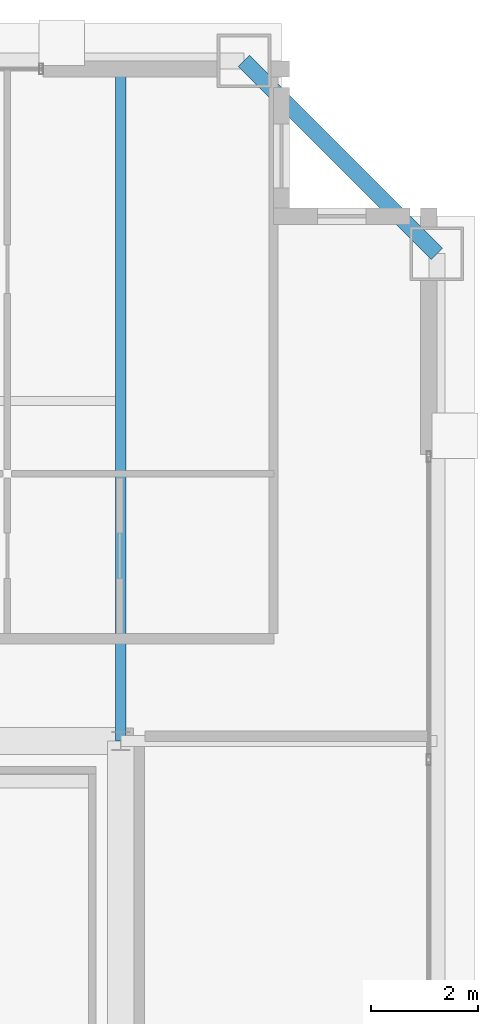
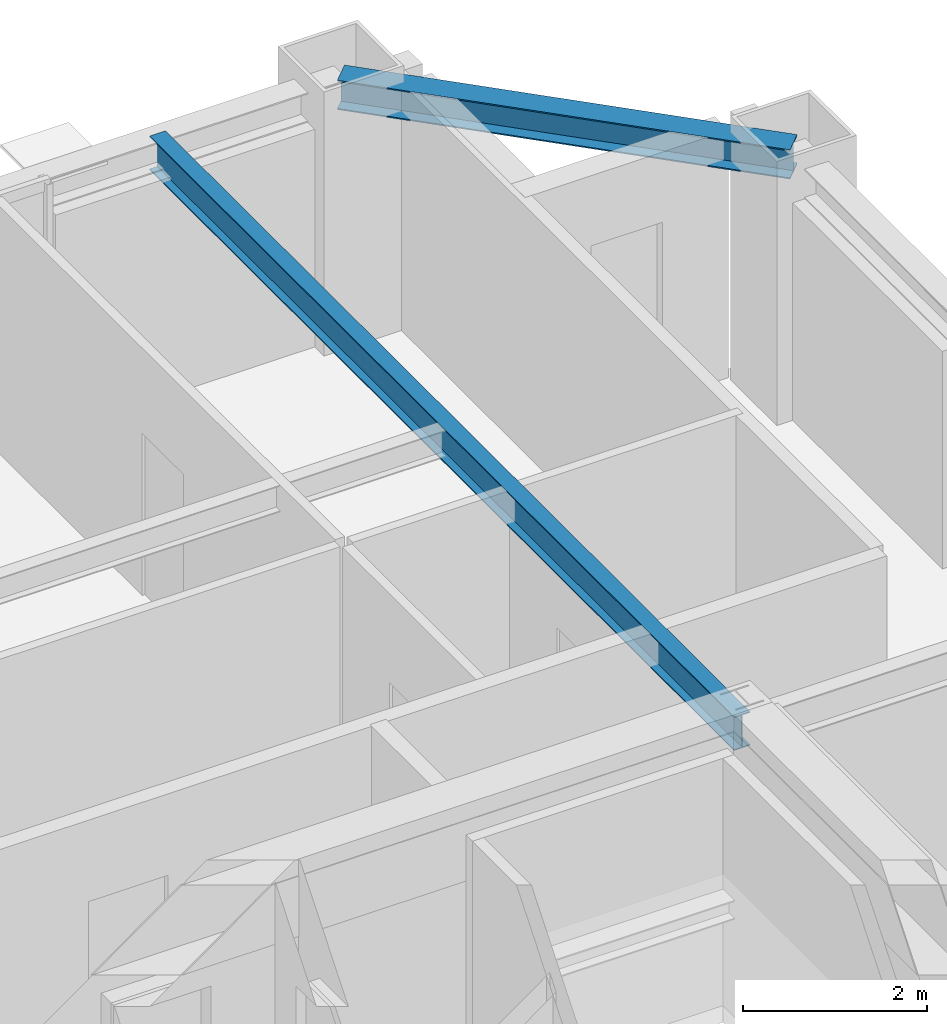
# One storey, part 20 of 35: 2 beams.
"""IFC4 building model written with IfcOpenShell, lengths in metres."""

from ifc_helpers import new_model, si_unit, direction, frame, origin, origin_2d, place, context, subcontext, project, spatial, i_section, extrude, source, transform, mapped, material, material_profile, profile_set, type_object, element, save


model = new_model("IFC4")

# Units and contexts
model_context = context("Model", 3, precision=1e-05, world=origin(), true_north=direction((0.0, 1.0)))
body_context = subcontext(model_context, "Body", "Model", "MODEL_VIEW")
ifc_project = project(units=[si_unit("LENGTHUNIT", "METRE"), si_unit("AREAUNIT", "SQUARE_METRE"), si_unit("VOLUMEUNIT", "CUBIC_METRE"), si_unit("PLANEANGLEUNIT", "RADIAN"), si_unit("MASSUNIT", "GRAM", prefix="KILO"), si_unit("THERMODYNAMICTEMPERATUREUNIT", "KELVIN"), si_unit("POWERUNIT", "WATT")], contexts=[model_context])

# Site, building, storey
site_placement = place(None, origin())
site = spatial("IfcSite", under=ifc_project, at=site_placement, CompositionType="ELEMENT")
building_placement = place(site_placement, origin())
building = spatial("IfcBuilding", under=site, at=building_placement, Name="Yuzanri Waterfront Tower", CompositionType="ELEMENT")
storey_placement = place(building_placement, frame((0.0, 0.0, 311.199951171875)))
storey = spatial("IfcBuildingStorey", under=building, at=storey_placement, Name="L83", CompositionType="ELEMENT", Elevation=311.199951171875)

# Beams
ifc_material_1 = material(Name="Steel Q355B", Category="steel")
ifc_material_profile_1 = material_profile(ifc_material_1, i_section(OverallWidth=0.300048828125, OverallDepth=0.389892578125, WebThickness=0.010009765625, FlangeThickness=0.01611328125, at=origin_2d()), Name="HM 390x300x10x16")
ifc_profile_set_1 = profile_set([ifc_material_profile_1], Name="Steel Q355B")
beam_type_1 = type_object("IfcBeamType", Name="Perimeter Spandrel Q355B HM 390x300", PredefinedType="SPANDREL", material=ifc_profile_set_1)
shared_shape_1 = source(origin(), body_context, "Body", "SweptSolid", [
    extrude(i_section(OverallWidth=0.300048828125, OverallDepth=0.389892578125, WebThickness=0.010009765625, FlangeThickness=0.01611328125, at=origin_2d()), origin(), (0.0, 0.0, 1.0), 5.091064453125),
])
beam_1_placement = place(storey_placement, frame((56.10009765625, 41.300048828125, 3.0849609375), z_axis=(-0.707130757816, 0.707082803744, 0.0), x_axis=(-0.707082803744, -0.707130757816, 0.0)))
element("IfcBeam", 1, at=beam_1_placement, inside=storey, type_object=beam_type_1, Name="L83 Perimeter Spandrel E3-N3", PredefinedType="SPANDREL", context=body_context, shape_type="MappedRepresentation", body=[
    mapped(shared_shape_1, transform((0.0, 0.0, 0.0), scale=1.0)),
])
ifc_material_2 = material(Name="Steel Q355B", Category="steel")
ifc_material_profile_2 = material_profile(ifc_material_2, i_section(OverallWidth=0.199951171875, OverallDepth=0.449951171875, WebThickness=0.009033203125, FlangeThickness=0.013916015625, at=origin_2d()), Name="HN 450x200x9x14")
ifc_profile_set_2 = profile_set([ifc_material_profile_2], Name="Steel Q355B")
beam_type_2 = type_object("IfcBeamType", Name="Secondary Floor Beam Q355B HN 450x200", PredefinedType="BEAM", material=ifc_profile_set_2)
shared_shape_2 = source(origin(), body_context, "Body", "SweptSolid", [
    extrude(i_section(OverallWidth=0.199951171875, OverallDepth=0.449951171875, WebThickness=0.009033203125, FlangeThickness=0.013916015625, at=origin_2d()), origin(), (0.0, 0.0, 1.0), 12.699951171875),
])
beam_2_placement = place(storey_placement, frame((50.199951171875, 32.199951171875, 3.054931640625), z_axis=(0.0, 1.0, 0.0), x_axis=(-1.0, 0.0, 0.0)))
element("IfcBeam", 2, at=beam_2_placement, inside=storey, type_object=beam_type_2, Name="L83 North-East Core Line Beam", PredefinedType="BEAM", context=body_context, shape_type="MappedRepresentation", body=[
    mapped(shared_shape_2, transform((0.0, 0.0, 0.0), scale=1.0)),
])

save(model, "model.ifc")
